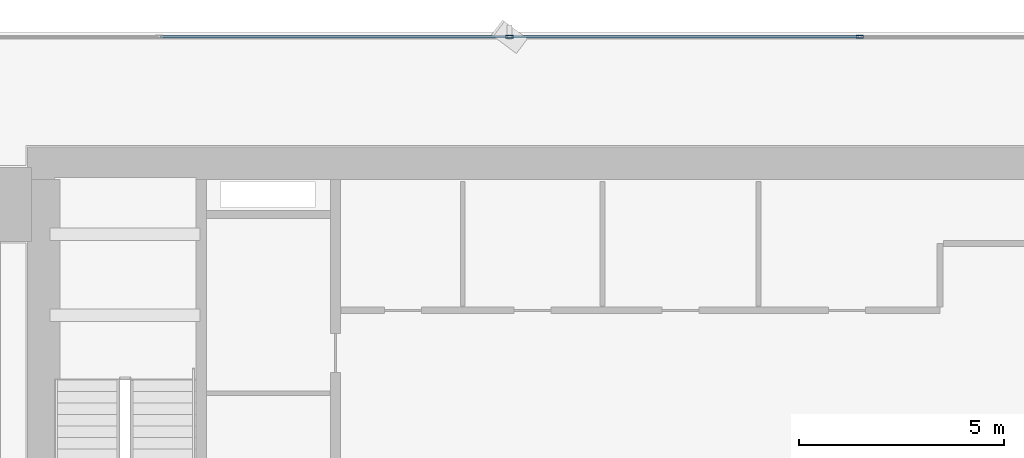
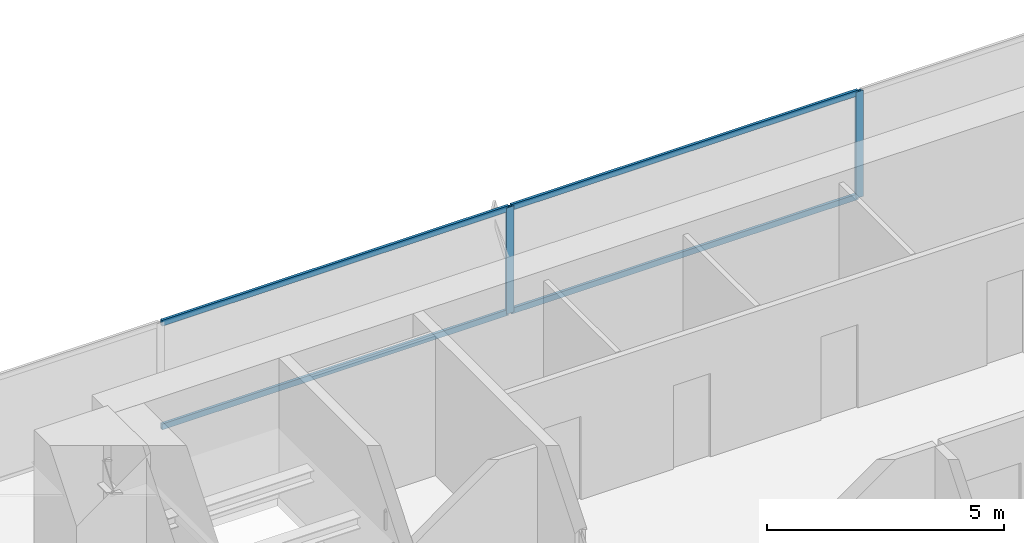
# One storey, part 19 of 33: 6 members, 1 element without a shape of its own.
"""IFC4 building model written with IfcOpenShell, lengths in metres."""

from ifc_helpers import new_model, si_unit, direction, frame, origin, origin_2d, place, context, subcontext, project, spatial, hollow_rectangle, extrude, source, transform, mapped, material, layer, layer_set, material_profile, profile_set, type_object, element, aggregate, save


model = new_model("IFC4")

# Units and contexts
model_context = context("Model", 3, precision=1e-05, world=origin(), true_north=direction((0.0, 1.0)))
body_context = subcontext(model_context, "Body", "Model", "MODEL_VIEW")
ifc_project = project(units=[si_unit("LENGTHUNIT", "METRE"), si_unit("AREAUNIT", "SQUARE_METRE"), si_unit("VOLUMEUNIT", "CUBIC_METRE"), si_unit("PLANEANGLEUNIT", "RADIAN"), si_unit("MASSUNIT", "GRAM", prefix="KILO")], contexts=[model_context])

# Site, building, storey
site_placement = place(None, origin())
site = spatial("IfcSite", under=ifc_project, at=site_placement, CompositionType="ELEMENT")
building_placement = place(site_placement, origin())
building = spatial("IfcBuilding", under=site, at=building_placement, Name="Sumidabori Civic Tower", CompositionType="ELEMENT")
storey_placement = place(building_placement, frame((0.0, 0.0, 38.0)))
storey = spatial("IfcBuildingStorey", under=building, at=storey_placement, Name="L09", CompositionType="ELEMENT", Elevation=38.0)

# Curtain wall, members
ifc_material = material(Name="Anodised Bronze Aluminium AW-6063-T6", Category="aluminium")
ifc_layer = layer(ifc_material, 0.179931640625, Name="Anodised Bronze Aluminium AW-6063-T6")
ifc_layer_set = layer_set([ifc_layer], Name="Anodised Bronze Aluminium AW-6063-T6")
curtain_wall_type = type_object("IfcCurtainWallType", Name="CW-SYS-2", PredefinedType="NOTDEFINED", material=ifc_layer_set)
curtain_wall_placement = place(storey_placement, origin())
curtain_wall = element("IfcCurtainWall", 1, at=curtain_wall_placement, inside=storey, type_object=curtain_wall_type, Name="Curtain Wall CW:L09:R07", PredefinedType="NOTDEFINED")
ifc_material_profile_1 = material_profile(ifc_material, hollow_rectangle(XDim=0.070068359375, YDim=0.179931640625, WallThickness=0.006103515625, at=origin_2d()), Name="ALU MULLION 180x70")
ifc_profile_set_1 = profile_set([ifc_material_profile_1], Name="Anodised Bronze Aluminium AW-6063-T6")
member_type_1 = type_object("IfcMemberType", Name="CW-MUL-180", PredefinedType="MULLION", material=ifc_profile_set_1)
shared_shape_1 = source(origin(), body_context, "Body", "SweptSolid", [
    extrude(hollow_rectangle(XDim=0.070068359375, YDim=0.179931640625, WallThickness=0.006103515625, at=origin_2d()), origin(), (0.0, 0.0, 1.0), 2.739990234375),
])
member_1_placement = place(storey_placement, frame((4.263916015625, 26.8798828125, 0.0), z_axis=(0.0, 0.0, 1.0), x_axis=(0.0, -1.0, 0.0)))
member_1 = element("IfcMember", 2, at=member_1_placement, type_object=member_type_1, Name="CW-2 mullion 3", PredefinedType="MULLION", context=body_context, shape_type="MappedRepresentation", body=[
    mapped(shared_shape_1, transform((0.0, 0.0, 0.0), x_axis=(1.0, 0.0, 0.0), y_axis=(0.0, 1.0, 0.0), z_axis=(0.0, 0.0, 1.0), scale=1.0)),
])
member_2_placement = place(storey_placement, frame((-4.263916015625, 26.8798828125, 0.0), z_axis=(0.0, 0.0, 1.0), x_axis=(0.0, -1.0, 0.0)))
member_2 = element("IfcMember", 3, at=member_2_placement, type_object=member_type_1, Name="CW-2 mullion 4", PredefinedType="MULLION", context=body_context, shape_type="MappedRepresentation", body=[
    mapped(shared_shape_1, transform((0.0, 0.0, 0.0), x_axis=(1.0, 0.0, 0.0), y_axis=(0.0, 1.0, 0.0), z_axis=(0.0, 0.0, 1.0), scale=1.0)),
])
ifc_material_profile_2 = material_profile(ifc_material, hollow_rectangle(XDim=0.06494140625, YDim=0.14990234375, WallThickness=0.0048828125, at=origin_2d()), Name="ALU TRANSOM 150x65")
ifc_profile_set_2 = profile_set([ifc_material_profile_2], Name="Anodised Bronze Aluminium AW-6063-T6")
member_type_2 = type_object("IfcMemberType", Name="CW-TRN-150", PredefinedType="USERDEFINED", material=ifc_profile_set_2)
shared_shape_2 = source(origin(), body_context, "Body", "SweptSolid", [
    extrude(hollow_rectangle(XDim=0.06494140625, YDim=0.14990234375, WallThickness=0.0048828125, at=origin_2d()), origin(), (0.0, 0.0, 1.0), 8.4580078125),
])
member_3_placement = place(storey_placement, frame((4.22900390625, 26.8798828125, 0.032470703125), z_axis=(-1.0, 0.0, 0.0), x_axis=(0.0, -1.0, 0.0)))
member_3 = element("IfcMember", 4, at=member_3_placement, type_object=member_type_2, Name="CW-2 transom 3.1", ObjectType="TRANSOM", PredefinedType="USERDEFINED", context=body_context, shape_type="MappedRepresentation", body=[
    mapped(shared_shape_2, transform((0.0, 0.0, 0.0), x_axis=(1.0, 0.0, 0.0), y_axis=(0.0, 1.0, 0.0), z_axis=(0.0, 0.0, 1.0), scale=1.0)),
])
member_4_placement = place(storey_placement, frame((4.22900390625, 26.8798828125, 2.70751953125), z_axis=(-1.0, 0.0, 0.0), x_axis=(0.0, -1.0, 0.0)))
member_4 = element("IfcMember", 5, at=member_4_placement, type_object=member_type_2, Name="CW-2 transom 3.2", ObjectType="TRANSOM", PredefinedType="USERDEFINED", context=body_context, shape_type="MappedRepresentation", body=[
    mapped(shared_shape_2, transform((0.0, 0.0, 0.0), x_axis=(1.0, 0.0, 0.0), y_axis=(0.0, 1.0, 0.0), z_axis=(0.0, 0.0, 1.0), scale=1.0)),
])
member_5_placement = place(storey_placement, frame((-4.299072265625, 26.8798828125, 0.032470703125), z_axis=(-1.0, 0.0, 0.0), x_axis=(0.0, -1.0, 0.0)))
member_5 = element("IfcMember", 6, at=member_5_placement, type_object=member_type_2, Name="CW-2 transom 4.1", ObjectType="TRANSOM", PredefinedType="USERDEFINED", context=body_context, shape_type="MappedRepresentation", body=[
    mapped(shared_shape_2, transform((0.0, 0.0, 0.0), x_axis=(1.0, 0.0, 0.0), y_axis=(0.0, 1.0, 0.0), z_axis=(0.0, 0.0, 1.0), scale=1.0)),
])
member_6_placement = place(storey_placement, frame((-4.299072265625, 26.8798828125, 2.70751953125), z_axis=(-1.0, 0.0, 0.0), x_axis=(0.0, -1.0, 0.0)))
member_6 = element("IfcMember", 7, at=member_6_placement, type_object=member_type_2, Name="CW-2 transom 4.2", ObjectType="TRANSOM", PredefinedType="USERDEFINED", context=body_context, shape_type="MappedRepresentation", body=[
    mapped(shared_shape_2, transform((0.0, 0.0, 0.0), x_axis=(1.0, 0.0, 0.0), y_axis=(0.0, 1.0, 0.0), z_axis=(0.0, 0.0, 1.0), scale=1.0)),
])
aggregate(curtain_wall, [member_1, member_2, member_3, member_4, member_5, member_6])

save(model, "model.ifc")
